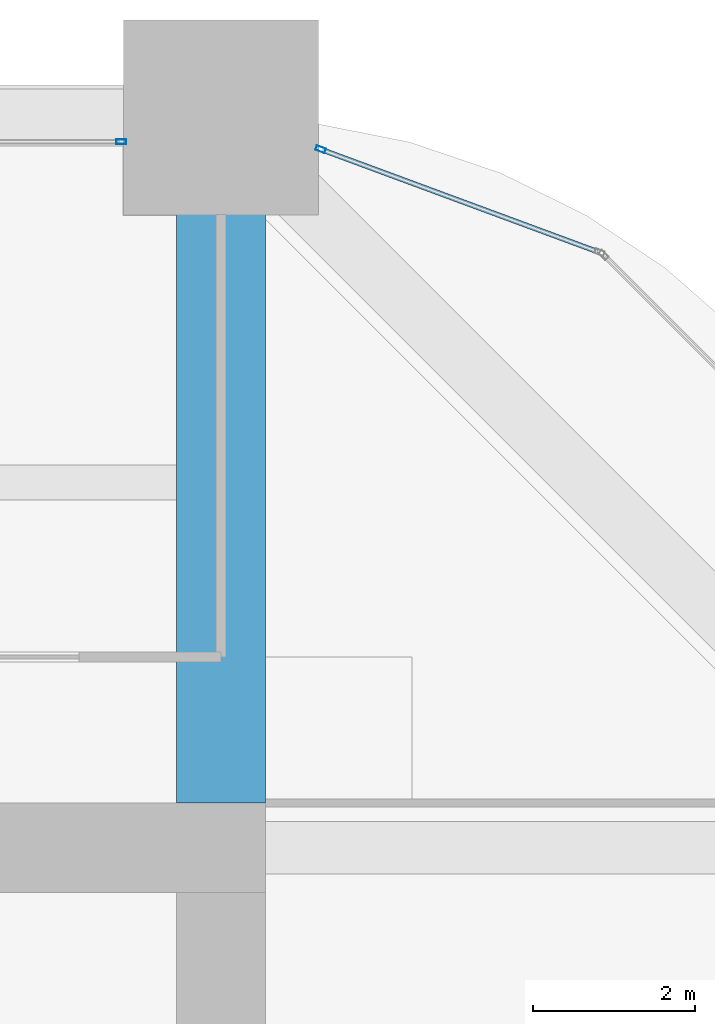
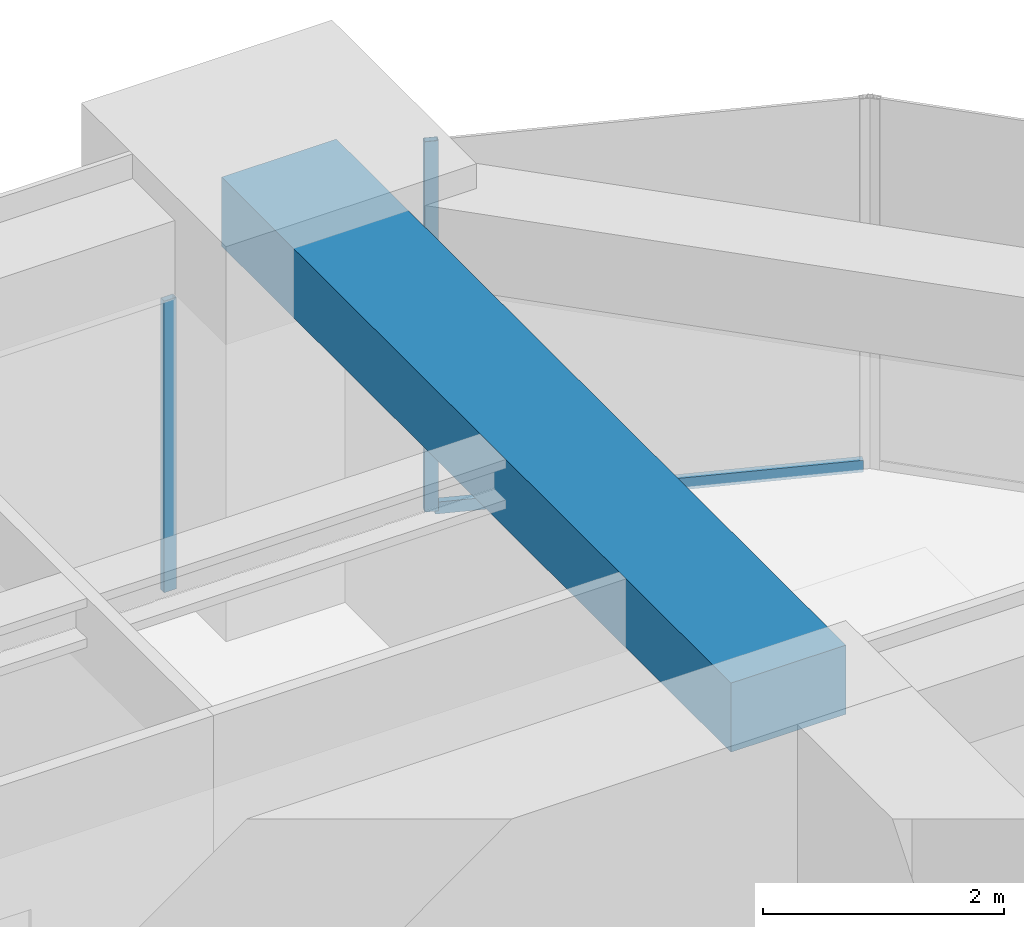
# One storey, part 38 of 45: 3 members, 1 beam, 2 elements without a shape of their own.
"""IFC4 building model written with IfcOpenShell, lengths in metres."""

from ifc_helpers import new_model, si_unit, direction, frame, origin, origin_2d, place, context, subcontext, project, spatial, rectangle, hollow_rectangle, extrude, material, material_profile, profile_set, type_object, element, aggregate, save


model = new_model("IFC4")

# Units and contexts
model_context = context("Model", 3, precision=1e-05, world=origin(), true_north=direction((0.0, 1.0)))
body_context = subcontext(model_context, "Body", "Model", "MODEL_VIEW")
ifc_project = project(units=[si_unit("LENGTHUNIT", "METRE"), si_unit("AREAUNIT", "SQUARE_METRE"), si_unit("VOLUMEUNIT", "CUBIC_METRE"), si_unit("PLANEANGLEUNIT", "RADIAN"), si_unit("MASSUNIT", "GRAM", prefix="KILO")], contexts=[model_context])

# Site, building, storey
site_placement = place(None, origin())
site = spatial("IfcSite", under=ifc_project, at=site_placement, CompositionType="ELEMENT")
building_placement = place(site_placement, origin())
building = spatial("IfcBuilding", under=site, at=building_placement, Name="Zorevar Civic Tower", CompositionType="ELEMENT")
storey_placement = place(building_placement, frame((0.0, 0.0, 247.39990234375)))
storey = spatial("IfcBuildingStorey", under=building, at=storey_placement, Name="L60", CompositionType="ELEMENT", Elevation=247.39990234375)

# Beam
ifc_material_1 = material(Name="Concrete C50/60", Category="concrete")
ifc_material_profile_1 = material_profile(ifc_material_1, rectangle(XDim=1.10009765625, YDim=0.699951171875, at=origin_2d()), Name="RC 1100x700")
ifc_profile_set_1 = profile_set([ifc_material_profile_1], Name="Concrete C50/60")
beam_type = type_object("IfcBeamType", Name="Beam RC 1100x700", PredefinedType="BEAM", material=ifc_profile_set_1)
beam_placement = place(storey_placement, frame((45.0, 36.550048828125, 3.400146484375), z_axis=(0.0, 1.0, 0.0), x_axis=(-1.0, 0.0, 0.0)))
element("IfcBeam", 1, at=beam_placement, inside=storey, type_object=beam_type, Name="Girder L61", PredefinedType="BEAM", context=body_context, shape_type="SweptSolid", body=[
    extrude(rectangle(XDim=1.10009765625, YDim=0.699951171875, at=origin_2d()), origin(), (0.0, 0.0, 1.0), 8.449951171875),
])

# Curtain wall, member
ifc_material_2 = material(Name="Dark grey solar-control glass in black aluminium frame", Category="aluminium")
curtain_wall_type = type_object("IfcCurtainWallType", Name="Curtain wall CW5 top zone", PredefinedType="NOTDEFINED", material=ifc_material_2)
curtain_wall_1_placement = place(storey_placement, origin())
curtain_wall_1 = element("IfcCurtainWall", 2, at=curtain_wall_1_placement, inside=storey, type_object=curtain_wall_type, Name="CW5 L60", PredefinedType="NOTDEFINED")
ifc_material_3 = material(Name="Aluminium, black anodised", Category="aluminium")
ifc_material_profile_2 = material_profile(ifc_material_3, hollow_rectangle(XDim=0.06005859375, YDim=0.1201171875, WallThickness=0.0029296875, at=origin_2d()), Name="AL 120x60x3")
ifc_profile_set_2 = profile_set([ifc_material_profile_2], Name="Aluminium, black anodised")
member_type_1 = type_object("IfcMemberType", Name="CW5 mullion AL 120x60x3", PredefinedType="MULLION", material=ifc_profile_set_2)
member_1_placement = place(storey_placement, frame((43.77001953125, 44.699951171875, 0.0), z_axis=(0.0, 0.0, 1.0), x_axis=(0.0, 1.0, 0.0)))
member_1 = element("IfcMember", 3, at=member_1_placement, type_object=member_type_1, Name="CW5 mullion 3", PredefinedType="MULLION", context=body_context, shape_type="SweptSolid", body=[
    extrude(hollow_rectangle(XDim=0.06005859375, YDim=0.1201171875, WallThickness=0.0029296875, at=origin_2d()), origin(), (0.0, 0.0, 1.0), 2.9501953125),
])
aggregate(curtain_wall_1, [member_1])

# Curtain wall, members
curtain_wall_2_placement = place(storey_placement, origin())
curtain_wall_2 = element("IfcCurtainWall", 4, at=curtain_wall_2_placement, inside=storey, type_object=curtain_wall_type, Name="CW5 L60", PredefinedType="NOTDEFINED")
member_2_placement = place(storey_placement, frame((46.22802734375, 44.6064453125, 0.0), z_axis=(0.0, 0.0, 1.0), x_axis=(-0.346704012033, -0.937974588163, 0.0)))
member_2 = element("IfcMember", 5, at=member_2_placement, type_object=member_type_1, Name="CW5 mullion 2", PredefinedType="MULLION", context=body_context, shape_type="SweptSolid", body=[
    extrude(hollow_rectangle(XDim=0.06005859375, YDim=0.1201171875, WallThickness=0.0029296875, at=origin_2d()), origin(), (0.0, 0.0, 1.0), 3.75),
])
ifc_material_4 = material(Name="Aluminium, black anodised", Category="aluminium")
ifc_material_profile_3 = material_profile(ifc_material_4, hollow_rectangle(XDim=0.06005859375, YDim=0.1201171875, WallThickness=0.0029296875, at=origin_2d()), Name="AL 120x60x3")
ifc_profile_set_3 = profile_set([ifc_material_profile_3], Name="Aluminium, black anodised")
member_type_2 = type_object("IfcMemberType", Name="CW5 transom AL 120x60x3", PredefinedType="USERDEFINED", material=ifc_profile_set_3)
member_3_placement = place(storey_placement, frame((49.636474609375, 43.3466796875, 0.030029296875), z_axis=(-0.93798635741, 0.346672169799, 0.0), x_axis=(-0.346672169799, -0.93798635741, 0.0)))
member_3 = element("IfcMember", 6, at=member_3_placement, type_object=member_type_2, Name="CW5 sill transom", ObjectType="TRANSOM", PredefinedType="USERDEFINED", context=body_context, shape_type="SweptSolid", body=[
    extrude(hollow_rectangle(XDim=0.06005859375, YDim=0.1201171875, WallThickness=0.0029296875, at=origin_2d()), origin(), (0.0, 0.0, 1.0), 3.603515625),
])
aggregate(curtain_wall_2, [member_2, member_3])

save(model, "model.ifc")
